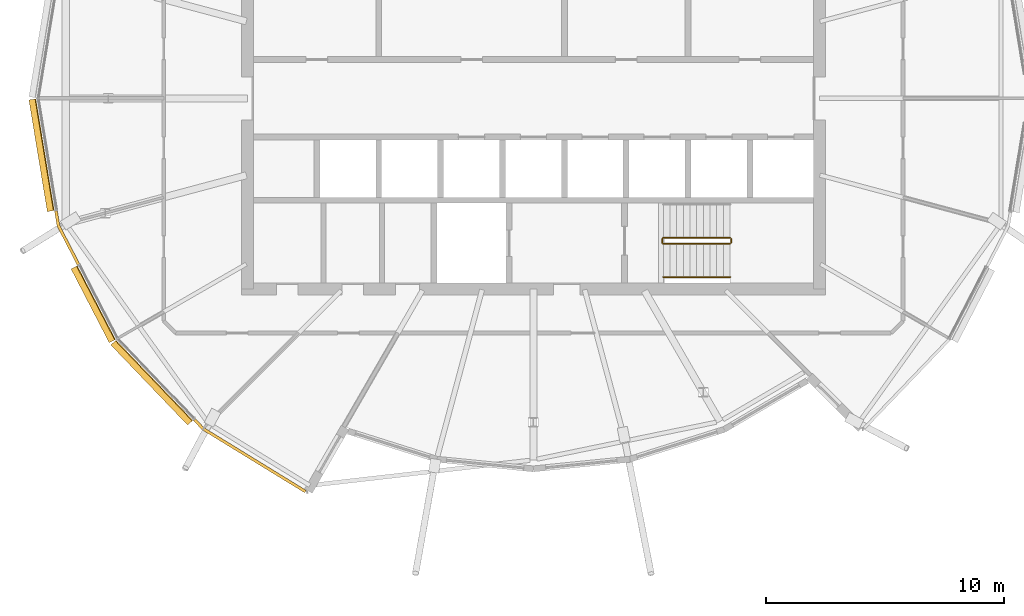
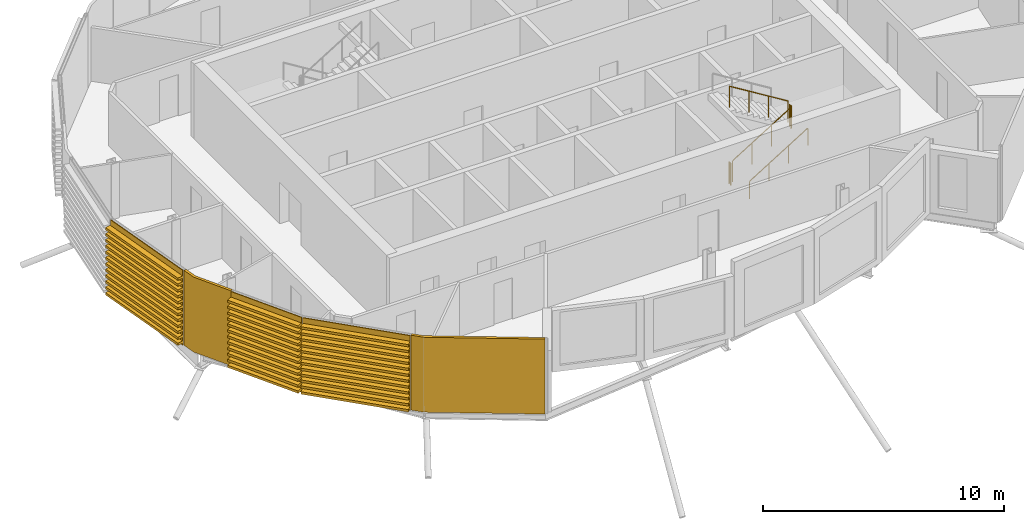
# One storey, part 29 of 35: 5 coverings, 5 railings.
"""IFC4 building model written with IfcOpenShell, lengths in metres."""

import ifcopenshell
import ifcopenshell.guid

model = None  # the IFC model being written
_history = None  # IfcOwnerHistory: only IFC2X3 demands one
_inside = {}  # id of a spatial element -> (the spatial element, [elements in it])
_under = {}  # id of a project, library or spatial element -> (it, [spatial elements below it])
_declared = {}  # id of a project -> (the project, [libraries it declares])
_typed = {}  # id of a type object -> (the type object, [elements of that type])
_made_of = {}  # id of a material, layer set ... -> (it, [elements and type objects made of it])


def new_model(schema):
    """Start an empty IFC model of exactly this schema.

    Asked for "IFC4X3", IfcOpenShell would pick the latest addendum, in which some entities
    have other attributes; the version numbers below select the first issue.
    IFC2X3 requires an IfcOwnerHistory on every rooted entity: one is made here for all.
    """
    global model, _history
    if schema == "IFC4X3":
        model = ifcopenshell.file(schema_version=(4, 3, 0, 0))
    else:
        model = ifcopenshell.file(schema=schema)
    _inside.clear()
    _under.clear()
    _declared.clear()
    _typed.clear()
    _made_of.clear()
    _history = None
    if model.schema == "IFC2X3":
        org = make("IfcOrganization", Name="unknown")
        user = make(
            "IfcPersonAndOrganization",
            ThePerson=make("IfcPerson", FamilyName="unknown"),
            TheOrganization=org,
        )
        app = make(
            "IfcApplication",
            ApplicationDeveloper=org,
            Version="unknown",
            ApplicationFullName="unknown",
            ApplicationIdentifier="unknown",
        )
        _history = make(
            "IfcOwnerHistory",
            OwningUser=user,
            OwningApplication=app,
            ChangeAction="ADDED",
            CreationDate=0,
        )
    return model


def make(cls, **values):
    """One entity of the class cls with the attributes given. An attribute that is None is left unset."""
    return model.create_entity(
        cls, **{name: value for name, value in values.items() if value is not None}
    )


def rooted(cls, **values):
    """An entity with a GlobalId (a new one), such as an element, a storey or a relation."""
    return make(cls, GlobalId=ifcopenshell.guid.new(), OwnerHistory=_history, **values)


def si_unit(unit_type, name, prefix=None):
    """IfcSIUnit, for example si_unit("LENGTHUNIT", "METRE", prefix="MILLI")."""
    return make("IfcSIUnit", UnitType=unit_type, Prefix=prefix, Name=name)


def assignment(units):
    """IfcUnitAssignment: the units of a project."""
    return None if units is None else make("IfcUnitAssignment", Units=units)


def point(xyz):
    """IfcCartesianPoint."""
    return None if xyz is None else make("IfcCartesianPoint", Coordinates=xyz)


def direction(xyz):
    """IfcDirection."""
    return None if xyz is None else make("IfcDirection", DirectionRatios=xyz)


def frame(location, z_axis=None, x_axis=None):
    """IfcAxis2Placement3D, a coordinate frame: its origin and axes. An axis left out is left unset."""
    return make(
        "IfcAxis2Placement3D",
        Location=point(location),
        Axis=direction(z_axis),
        RefDirection=direction(x_axis),
    )


def frame_2d(location, x_axis=None):
    """IfcAxis2Placement2D, a coordinate frame in the plane: its origin and x axis."""
    return make(
        "IfcAxis2Placement2D", Location=point(location), RefDirection=direction(x_axis)
    )


def origin():
    """The frame at (0, 0, 0) with its axes left unset."""
    return frame((0.0, 0.0, 0.0))


def origin_2d():
    """The frame at (0, 0) in the plane with its x axis left unset."""
    return frame_2d((0.0, 0.0))


def place(relative_to, where):
    """IfcLocalPlacement: puts the frame where relative to a parent placement (None: the world)."""
    return make(
        "IfcLocalPlacement", PlacementRelTo=relative_to, RelativePlacement=where
    )


def context(
    kind, dimensions, precision=None, world=None, true_north=None, identifier=None
):
    """IfcGeometricRepresentationContext, for example the 3D "Model" context."""
    return make(
        "IfcGeometricRepresentationContext",
        ContextIdentifier=identifier,
        ContextType=kind,
        CoordinateSpaceDimension=dimensions,
        Precision=precision,
        WorldCoordinateSystem=world,
        TrueNorth=true_north,
    )


def subcontext(parent, identifier, kind, view, scale=None):
    """IfcGeometricRepresentationSubContext, for example "Body" below "Model"."""
    return make(
        "IfcGeometricRepresentationSubContext",
        ContextIdentifier=identifier,
        ContextType=kind,
        ParentContext=parent,
        TargetScale=scale,
        TargetView=view,
    )


def project(units=None, contexts=None):
    """IfcProject with its units and contexts."""
    return rooted(
        "IfcProject",
        Name="project",
        RepresentationContexts=contexts,
        UnitsInContext=assignment(units),
    )


def spatial(cls, under=None, at=None, **own):
    """A site, building, storey or space (cls), placed at a placement, below another one or the project."""
    s = rooted(cls, ObjectPlacement=at, **own)
    if under is not None:
        _under.setdefault(under.id(), (under, []))[1].append(s)
    return s


def polyline(points):
    """IfcPolyline through the points."""
    return make("IfcPolyline", Points=[point(p) for p in points])


def profile(cls, at=None, kind="AREA", **sizes):
    """A parametric profile (cls). Its sizes go by their IFC names, for example OverallWidth=200.0."""
    return make(cls, ProfileType=kind, Position=at, **sizes)


def circle(**sizes):
    """IfcCircleProfileDef."""
    return profile("IfcCircleProfileDef", **sizes)


def outline(outer, holes=None, kind="AREA"):
    """IfcArbitraryClosedProfileDef: a profile drawn as a closed curve; with holes, ...WithVoids."""
    if holes is None:
        return make("IfcArbitraryClosedProfileDef", ProfileType=kind, OuterCurve=outer)
    return make(
        "IfcArbitraryProfileDefWithVoids",
        ProfileType=kind,
        OuterCurve=outer,
        InnerCurves=holes,
    )


def extrude(swept, where, along, depth):
    """IfcExtrudedAreaSolid: the profile swept, set in the frame where, extruded along a direction by depth."""
    return make(
        "IfcExtrudedAreaSolid",
        SweptArea=swept,
        Position=where,
        ExtrudedDirection=direction(along),
        Depth=depth,
    )


def shape(context_of_items, identifier, shape_type, items):
    """IfcShapeRepresentation: the items that make up one representation, for example the "Body"."""
    return make(
        "IfcShapeRepresentation",
        ContextOfItems=context_of_items,
        RepresentationIdentifier=identifier,
        RepresentationType=shape_type,
        Items=items,
    )


def material(Name=None, Category=None):
    """IfcMaterial."""
    return make("IfcMaterial", Name=Name, Category=Category)


def layer(
    of_material, thickness, ventilated=None, Name=None, Category=None, Priority=None
):
    """IfcMaterialLayer: one layer of a wall or slab, of a material (None: an air gap)."""
    return make(
        "IfcMaterialLayer",
        Material=of_material,
        LayerThickness=thickness,
        IsVentilated=ventilated,
        Name=Name,
        Category=Category,
        Priority=Priority,
    )


def layer_set(layers, Name=None):
    """IfcMaterialLayerSet."""
    return make("IfcMaterialLayerSet", MaterialLayers=layers, LayerSetName=Name)


def material_profile(
    of_material, cross_section, Name=None, Category=None, Priority=None
):
    """IfcMaterialProfile: a cross section and its material."""
    return make(
        "IfcMaterialProfile",
        Name=Name,
        Material=of_material,
        Profile=cross_section,
        Priority=Priority,
        Category=Category,
    )


def profile_set(profiles, Name=None, composite=None):
    """IfcMaterialProfileSet."""
    return make(
        "IfcMaterialProfileSet",
        Name=Name,
        MaterialProfiles=profiles,
        CompositeProfile=composite,
    )


def made_of(thing, what):
    """Note that an element or type object is made of a material, layer set ...; save() writes the relation."""
    if what is not None:
        _made_of.setdefault(what.id(), (what, []))[1].append(thing)
    return thing


def type_object(cls, material=None, **own):
    """A type object (cls), such as IfcWallType, which elements share."""
    return made_of(rooted(cls, **own), material)


def element(
    cls,
    number,
    at=None,
    inside=None,
    cuts=None,
    type_object=None,
    material=None,
    context=None,
    identifier="Body",
    shape_type=None,
    held_by="IfcProductDefinitionShape",
    body=None,
    shapes=None,
    **own,
):
    """One element of the class cls, such as IfcWall. Its Tag is "e" and its number.

    at: its placement. inside: the storey or other place that contains it. cuts: it is an
    opening in that element (IfcRelVoidsElement). A single representation is given by context,
    identifier, shape_type and body (its items); several are given by shapes. held_by: the class
    of the entity that holds the representations. save() writes the other relations.
    """
    e = rooted(cls, Tag="e%d" % number, ObjectPlacement=at, **own)
    if body is not None:
        shapes = [shape(context, identifier, shape_type, body)]
    if shapes is not None:
        e.Representation = make(held_by, Representations=shapes)
    if inside is not None:
        _inside.setdefault(inside.id(), (inside, []))[1].append(e)
    if cuts is not None:
        rooted(
            "IfcRelVoidsElement", RelatingBuildingElement=cuts, RelatedOpeningElement=e
        )
    if type_object is not None:
        _typed.setdefault(type_object.id(), (type_object, []))[1].append(e)
    return made_of(e, material)


def aggregate(whole, parts):
    """IfcRelAggregates: a whole, such as a stair, and the parts it consists of."""
    return rooted("IfcRelAggregates", RelatingObject=whole, RelatedObjects=parts)


def save(model, path):
    """Write the relations noted so far, then the file.

    IfcRelAggregates (storeys below a building ...), IfcRelContainedInSpatialStructure (elements
    in a storey), IfcRelDefinesByType, IfcRelAssociatesMaterial and IfcRelDeclares: one each for
    every whole, place, type object, material and project.
    """
    for whole, parts in _under.values():
        aggregate(whole, parts)
    for where, things in _inside.values():
        rooted(
            "IfcRelContainedInSpatialStructure",
            RelatedElements=things,
            RelatingStructure=where,
        )
    for kind, things in _typed.values():
        rooted("IfcRelDefinesByType", RelatedObjects=things, RelatingType=kind)
    for what, things in _made_of.values():
        rooted("IfcRelAssociatesMaterial", RelatedObjects=things, RelatingMaterial=what)
    for by, libraries in _declared.values():
        rooted("IfcRelDeclares", RelatingContext=by, RelatedDefinitions=libraries)
    model.write(path)


model = new_model("IFC4")

# Units and contexts
model_context = context("Model", 3, precision=1e-05, world=origin(), true_north=direction((0.0, 1.0)))
body_context = subcontext(model_context, "Body", "Model", "MODEL_VIEW")
ifc_project = project(units=[si_unit("LENGTHUNIT", "METRE"), si_unit("AREAUNIT", "SQUARE_METRE"), si_unit("VOLUMEUNIT", "CUBIC_METRE"), si_unit("PLANEANGLEUNIT", "RADIAN"), si_unit("MASSUNIT", "GRAM", prefix="KILO")], contexts=[model_context])

# Site, building, storey
site_placement = place(None, origin())
site = spatial("IfcSite", under=ifc_project, at=site_placement, CompositionType="ELEMENT")
building_placement = place(site_placement, origin())
building = spatial("IfcBuilding", under=site, at=building_placement, Name="Rimbun Link Towers", CompositionType="ELEMENT")
storey_placement = place(building_placement, frame((0.0, 0.0, 225.699951171875)))
storey = spatial("IfcBuildingStorey", under=building, at=storey_placement, Name="L55", CompositionType="ELEMENT", Elevation=225.699951171875)

# Coverings
ifc_material_1 = material(Name="Terracotta", Category="masonry")
ifc_layer = layer(ifc_material_1, 0.1201171875)
ifc_layer_set = layer_set([ifc_layer], Name="LINK PIER terracotta cladding 120")
covering_type_1 = type_object("IfcCoveringType", Name="LINK PIER terracotta cladding 120", PredefinedType="CLADDING", material=ifc_layer_set)
covering_1_placement = place(storey_placement, origin())
element("IfcCovering", 1, at=covering_1_placement, inside=storey, type_object=covering_type_1, Name="LINK PIER cladding", PredefinedType="CLADDING", context=body_context, shape_type="SweptSolid", body=[
    extrude(outline(polyline([(-50.781005859375, -6.93994140625), (-51.6171875, -5.323486328125), (-51.718017578125, -4.711669921875), (-51.83642578125, -4.731201171875), (-51.732666015625, -5.361572265625), (-50.887451171875, -6.994873046875), (-50.781005859375, -6.93994140625)])), origin(), (0.0, 0.0, 1.0), 3.800048828125),
])
covering_2_placement = place(storey_placement, origin())
element("IfcCovering", 2, at=covering_2_placement, inside=storey, type_object=covering_type_1, Name="LINK PIER cladding", PredefinedType="CLADDING", context=body_context, shape_type="SweptSolid", body=[
    extrude(outline(polyline([(-41.27978515625, -16.446044921875), (-45.56494140625, -13.81494140625), (-45.9248046875, -13.439697265625), (-46.011474609375, -13.522705078125), (-45.640869140625, -13.9091796875), (-41.342529296875, -16.54833984375), (-41.27978515625, -16.446044921875)])), origin(), (0.0, 0.0, 1.0), 3.800048828125),
])

# Railings
ifc_material_2 = material(Name="Stainless steel grade 316", Category="steel")
railing_type_1 = type_object("IfcRailingType", Name="Stair guard", PredefinedType="GUARDRAIL", material=ifc_material_2)
railing_1_placement = place(storey_placement, frame((-26.300048828125, -6.10009765625, 0.1728515625)))
element("IfcRailing", 3, at=railing_1_placement, inside=storey, type_object=railing_type_1, Name="L55 ST2 stair guard 1", PredefinedType="GUARDRAIL", context=body_context, shape_type="SweptSolid", body=[
    extrude(circle(Radius=0.02392578125, at=origin_2d()), frame((0.0, 0.0, 1.076171875), z_axis=(0.851089632645, 0.0, 0.525020415988), x_axis=(0.0, 1.0, 0.0)), (0.0, 0.0, 1.0), 3.2900390625),
    extrude(circle(Radius=0.02099609375, at=origin_2d()), origin(), (0.0, 0.0, 1.0), 1.052001953125),
    extrude(circle(Radius=0.02099609375, at=origin_2d()), frame((0.933349609375, 0.0, 0.57568359375)), (0.0, 0.0, 1.0), 1.052001953125),
    extrude(circle(Radius=0.02099609375, at=origin_2d()), frame((1.86669921875, 0.0, 1.151611328125)), (0.0, 0.0, 1.0), 1.052001953125),
    extrude(circle(Radius=0.02099609375, at=origin_2d()), frame((2.800048828125, 0.0, 1.727294921875)), (0.0, 0.0, 1.0), 1.052001953125),
])
railing_2_placement = place(storey_placement, frame((-23.449951171875, -6.050048828125, 1.900146484375)))
element("IfcRailing", 4, at=railing_2_placement, inside=storey, type_object=railing_type_1, Name="L55 ST2 stair guard 2", PredefinedType="GUARDRAIL", context=body_context, shape_type="SweptSolid", body=[
    extrude(circle(Radius=0.02392578125, at=origin_2d()), frame((0.0, 0.0, 1.076171875), z_axis=(0.0, 1.0, 0.0), x_axis=(-1.0, 0.0, 0.0)), (0.0, 0.0, 1.0), 0.150146484375),
    extrude(circle(Radius=0.02099609375, at=origin_2d()), origin(), (0.0, 0.0, 1.0), 1.052001953125),
    extrude(circle(Radius=0.02099609375, at=origin_2d()), frame((0.0, 0.150146484375, 0.0)), (0.0, 0.0, 1.0), 1.052001953125),
])
railing_3_placement = place(storey_placement, frame((-23.5, -5.85009765625, 2.07275390625)))
element("IfcRailing", 5, at=railing_3_placement, inside=storey, type_object=railing_type_1, Name="L55 ST2 stair guard 3", PredefinedType="GUARDRAIL", context=body_context, shape_type="SweptSolid", body=[
    extrude(circle(Radius=0.02392578125, at=origin_2d()), frame((0.0, 0.0, 1.076171875), z_axis=(-0.851089632645, 0.0, 0.525020415988), x_axis=(0.0, -1.0, 0.0)), (0.0, 0.0, 1.0), 3.2900390625),
    extrude(circle(Radius=0.02099609375, at=origin_2d()), origin(), (0.0, 0.0, 1.0), 1.052001953125),
    extrude(circle(Radius=0.02099609375, at=origin_2d()), frame((-0.933349609375, 0.0, 0.57568359375)), (0.0, 0.0, 1.0), 1.052001953125),
    extrude(circle(Radius=0.02099609375, at=origin_2d()), frame((-1.86669921875, 0.0, 1.151611328125)), (0.0, 0.0, 1.0), 1.052001953125),
    extrude(circle(Radius=0.02099609375, at=origin_2d()), frame((-2.800048828125, 0.0, 1.727294921875)), (0.0, 0.0, 1.0), 1.052001953125),
])
railing_4_placement = place(storey_placement, frame((-26.35009765625, -6.050048828125, 0.0)))
element("IfcRailing", 6, at=railing_4_placement, inside=storey, type_object=railing_type_1, Name="L55 ST2 stair guard 4", PredefinedType="GUARDRAIL", context=body_context, shape_type="SweptSolid", body=[
    extrude(circle(Radius=0.02392578125, at=origin_2d()), frame((0.0, 0.0, 1.076171875), z_axis=(0.0, 1.0, 0.0), x_axis=(-1.0, 0.0, 0.0)), (0.0, 0.0, 1.0), 0.150146484375),
    extrude(circle(Radius=0.02099609375, at=origin_2d()), origin(), (0.0, 0.0, 1.0), 1.052001953125),
    extrude(circle(Radius=0.02099609375, at=origin_2d()), frame((0.0, 0.150146484375, 0.0)), (0.0, 0.0, 1.0), 1.052001953125),
])
ifc_material_3 = material(Name="Stainless steel grade 316", Category="steel")
railing_type_2 = type_object("IfcRailingType", Name="Stair handrail", PredefinedType="HANDRAIL", material=ifc_material_3)
railing_5_placement = place(storey_placement, frame((-26.300048828125, -7.5, 0.1728515625)))
element("IfcRailing", 7, at=railing_5_placement, inside=storey, type_object=railing_type_2, Name="L55 ST2 stair handrail 1", PredefinedType="HANDRAIL", context=body_context, shape_type="SweptSolid", body=[
    extrude(circle(Radius=0.02392578125, at=origin_2d()), frame((0.0, 0.0, 0.8759765625), z_axis=(0.851089632645, 0.0, 0.525020415988), x_axis=(0.0, 1.0, 0.0)), (0.0, 0.0, 1.0), 3.2900390625),
    extrude(circle(Radius=0.02099609375, at=origin_2d()), origin(), (0.0, 0.0, 1.0), 0.851806640625),
    extrude(circle(Radius=0.02099609375, at=origin_2d()), frame((0.933349609375, 0.0, 0.57568359375)), (0.0, 0.0, 1.0), 0.851806640625),
    extrude(circle(Radius=0.02099609375, at=origin_2d()), frame((1.86669921875, 0.0, 1.151611328125)), (0.0, 0.0, 1.0), 0.851806640625),
    extrude(circle(Radius=0.02099609375, at=origin_2d()), frame((2.800048828125, 0.0, 1.727294921875)), (0.0, 0.0, 1.0), 0.851806640625),
])

# Coverings
ifc_material_4 = material(Name="Terracotta", Category="masonry")
ifc_material_profile = material_profile(ifc_material_4, outline(polyline([(0.123046875, 0.0), (0.1630859375, 0.0), (0.1630859375, 0.10009765625), (0.423095703125, 0.10009765625), (0.423095703125, 0.219970703125), (0.1630859375, 0.219970703125), (0.1630859375, 0.39990234375), (0.423095703125, 0.39990234375), (0.423095703125, 0.52001953125), (0.1630859375, 0.52001953125), (0.1630859375, 0.699951171875), (0.423095703125, 0.699951171875), (0.423095703125, 0.820068359375), (0.1630859375, 0.820068359375), (0.1630859375, 1.0), (0.423095703125, 1.0), (0.423095703125, 1.1201171875), (0.1630859375, 1.1201171875), (0.1630859375, 1.300048828125), (0.423095703125, 1.300048828125), (0.423095703125, 1.419921875), (0.1630859375, 1.419921875), (0.1630859375, 1.60009765625), (0.423095703125, 1.60009765625), (0.423095703125, 1.719970703125), (0.1630859375, 1.719970703125), (0.1630859375, 1.89990234375), (0.423095703125, 1.89990234375), (0.423095703125, 2.02001953125), (0.1630859375, 2.02001953125), (0.1630859375, 2.199951171875), (0.423095703125, 2.199951171875), (0.423095703125, 2.320068359375), (0.1630859375, 2.320068359375), (0.1630859375, 2.5), (0.423095703125, 2.5), (0.423095703125, 2.6201171875), (0.1630859375, 2.6201171875), (0.1630859375, 2.800048828125), (0.423095703125, 2.800048828125), (0.423095703125, 2.919921875), (0.1630859375, 2.919921875), (0.1630859375, 3.10009765625), (0.423095703125, 3.10009765625), (0.423095703125, 3.219970703125), (0.1630859375, 3.219970703125), (0.1630859375, 3.39990234375), (0.423095703125, 3.39990234375), (0.423095703125, 3.52001953125), (0.1630859375, 3.52001953125), (0.1630859375, 3.800048828125), (0.123046875, 3.800048828125), (0.123046875, 0.0)])), Name="BAGUETTE 120X300")
ifc_profile_set = profile_set([ifc_material_profile], Name="Terracotta")
covering_type_2 = type_object("IfcCoveringType", Name="TERRACOTTA BAGUETTE 120X300 H3800", PredefinedType="CLADDING", material=ifc_profile_set)
covering_3_placement = place(storey_placement, frame((-51.72265625, -4.68212890625, 0.0), z_axis=(-0.16227934514, 0.986744857671, 0.0), x_axis=(-0.986744857671, -0.16227934514, 0.0)))
element("IfcCovering", 8, at=covering_3_placement, inside=storey, type_object=covering_type_2, Name="TERRACOTTA BAGUETTE", PredefinedType="CLADDING", context=body_context, shape_type="SweptSolid", body=[
    extrude(outline(polyline([(0.123046875, 0.0), (0.1630859375, 0.0), (0.1630859375, 0.10009765625), (0.423095703125, 0.10009765625), (0.423095703125, 0.219970703125), (0.1630859375, 0.219970703125), (0.1630859375, 0.39990234375), (0.423095703125, 0.39990234375), (0.423095703125, 0.52001953125), (0.1630859375, 0.52001953125), (0.1630859375, 0.699951171875), (0.423095703125, 0.699951171875), (0.423095703125, 0.820068359375), (0.1630859375, 0.820068359375), (0.1630859375, 1.0), (0.423095703125, 1.0), (0.423095703125, 1.1201171875), (0.1630859375, 1.1201171875), (0.1630859375, 1.300048828125), (0.423095703125, 1.300048828125), (0.423095703125, 1.419921875), (0.1630859375, 1.419921875), (0.1630859375, 1.60009765625), (0.423095703125, 1.60009765625), (0.423095703125, 1.719970703125), (0.1630859375, 1.719970703125), (0.1630859375, 1.89990234375), (0.423095703125, 1.89990234375), (0.423095703125, 2.02001953125), (0.1630859375, 2.02001953125), (0.1630859375, 2.199951171875), (0.423095703125, 2.199951171875), (0.423095703125, 2.320068359375), (0.1630859375, 2.320068359375), (0.1630859375, 2.5), (0.423095703125, 2.5), (0.423095703125, 2.6201171875), (0.1630859375, 2.6201171875), (0.1630859375, 2.800048828125), (0.423095703125, 2.800048828125), (0.423095703125, 2.919921875), (0.1630859375, 2.919921875), (0.1630859375, 3.10009765625), (0.423095703125, 3.10009765625), (0.423095703125, 3.219970703125), (0.1630859375, 3.219970703125), (0.1630859375, 3.39990234375), (0.423095703125, 3.39990234375), (0.423095703125, 3.52001953125), (0.1630859375, 3.52001953125), (0.1630859375, 3.800048828125), (0.123046875, 3.800048828125), (0.123046875, 0.0)])), origin(), (0.0, 0.0, 1.0), 4.7451171875),
])
covering_4_placement = place(storey_placement, frame((-49.168212890625, -10.056396484375, 0.0), z_axis=(-0.459577547562, 0.888137645738, 0.0), x_axis=(-0.888137645738, -0.459577547562, 0.0)))
element("IfcCovering", 9, at=covering_4_placement, inside=storey, type_object=covering_type_2, Name="TERRACOTTA BAGUETTE", PredefinedType="CLADDING", context=body_context, shape_type="SweptSolid", body=[
    extrude(outline(polyline([(0.123046875, 0.0), (0.1630859375, 0.0), (0.1630859375, 0.10009765625), (0.423095703125, 0.10009765625), (0.423095703125, 0.219970703125), (0.1630859375, 0.219970703125), (0.1630859375, 0.39990234375), (0.423095703125, 0.39990234375), (0.423095703125, 0.52001953125), (0.1630859375, 0.52001953125), (0.1630859375, 0.699951171875), (0.423095703125, 0.699951171875), (0.423095703125, 0.820068359375), (0.1630859375, 0.820068359375), (0.1630859375, 1.0), (0.423095703125, 1.0), (0.423095703125, 1.1201171875), (0.1630859375, 1.1201171875), (0.1630859375, 1.300048828125), (0.423095703125, 1.300048828125), (0.423095703125, 1.419921875), (0.1630859375, 1.419921875), (0.1630859375, 1.60009765625), (0.423095703125, 1.60009765625), (0.423095703125, 1.719970703125), (0.1630859375, 1.719970703125), (0.1630859375, 1.89990234375), (0.423095703125, 1.89990234375), (0.423095703125, 2.02001953125), (0.1630859375, 2.02001953125), (0.1630859375, 2.199951171875), (0.423095703125, 2.199951171875), (0.423095703125, 2.320068359375), (0.1630859375, 2.320068359375), (0.1630859375, 2.5), (0.423095703125, 2.5), (0.423095703125, 2.6201171875), (0.1630859375, 2.6201171875), (0.1630859375, 2.800048828125), (0.423095703125, 2.800048828125), (0.423095703125, 2.919921875), (0.1630859375, 2.919921875), (0.1630859375, 3.10009765625), (0.423095703125, 3.10009765625), (0.423095703125, 3.219970703125), (0.1630859375, 3.219970703125), (0.1630859375, 3.39990234375), (0.423095703125, 3.39990234375), (0.423095703125, 3.52001953125), (0.1630859375, 3.52001953125), (0.1630859375, 3.800048828125), (0.123046875, 3.800048828125), (0.123046875, 0.0)])), origin(), (0.0, 0.0, 1.0), 3.47900390625),
])
covering_5_placement = place(storey_placement, frame((-45.945556640625, -13.41796875, 0.0), z_axis=(-0.692034023321, 0.721864883871, 0.0), x_axis=(-0.721864883871, -0.692034023321, 0.0)))
element("IfcCovering", 10, at=covering_5_placement, inside=storey, type_object=covering_type_2, Name="TERRACOTTA BAGUETTE", PredefinedType="CLADDING", context=body_context, shape_type="SweptSolid", body=[
    extrude(outline(polyline([(0.123046875, 0.0), (0.1630859375, 0.0), (0.1630859375, 0.10009765625), (0.423095703125, 0.10009765625), (0.423095703125, 0.219970703125), (0.1630859375, 0.219970703125), (0.1630859375, 0.39990234375), (0.423095703125, 0.39990234375), (0.423095703125, 0.52001953125), (0.1630859375, 0.52001953125), (0.1630859375, 0.699951171875), (0.423095703125, 0.699951171875), (0.423095703125, 0.820068359375), (0.1630859375, 0.820068359375), (0.1630859375, 1.0), (0.423095703125, 1.0), (0.423095703125, 1.1201171875), (0.1630859375, 1.1201171875), (0.1630859375, 1.300048828125), (0.423095703125, 1.300048828125), (0.423095703125, 1.419921875), (0.1630859375, 1.419921875), (0.1630859375, 1.60009765625), (0.423095703125, 1.60009765625), (0.423095703125, 1.719970703125), (0.1630859375, 1.719970703125), (0.1630859375, 1.89990234375), (0.423095703125, 1.89990234375), (0.423095703125, 2.02001953125), (0.1630859375, 2.02001953125), (0.1630859375, 2.199951171875), (0.423095703125, 2.199951171875), (0.423095703125, 2.320068359375), (0.1630859375, 2.320068359375), (0.1630859375, 2.5), (0.423095703125, 2.5), (0.423095703125, 2.6201171875), (0.1630859375, 2.6201171875), (0.1630859375, 2.800048828125), (0.423095703125, 2.800048828125), (0.423095703125, 2.919921875), (0.1630859375, 2.919921875), (0.1630859375, 3.10009765625), (0.423095703125, 3.10009765625), (0.423095703125, 3.219970703125), (0.1630859375, 3.219970703125), (0.1630859375, 3.39990234375), (0.423095703125, 3.39990234375), (0.423095703125, 3.52001953125), (0.1630859375, 3.52001953125), (0.1630859375, 3.800048828125), (0.123046875, 3.800048828125), (0.123046875, 0.0)])), origin(), (0.0, 0.0, 1.0), 4.65673828125),
])

save(model, "model.ifc")
